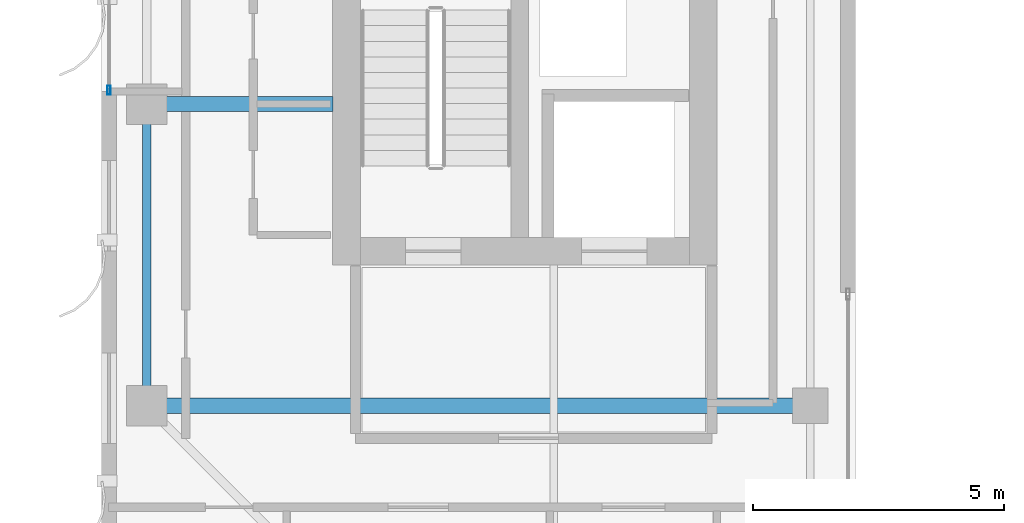
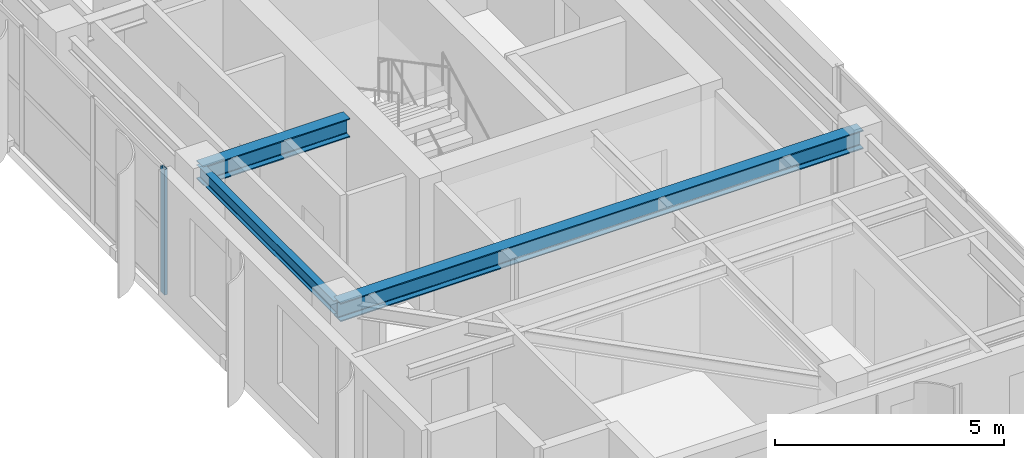
# One storey, part 3 of 24: 3 beams, 1 member, 1 element without a shape of its own.
"""IFC4 building model written with IfcOpenShell, lengths in metres."""

from ifc_helpers import new_model, si_unit, direction, frame, origin, origin_2d, place, context, subcontext, project, spatial, hollow_rectangle, i_section, extrude, source, transform, mapped, material, layer, layer_set, material_profile, profile_set, type_object, element, aggregate, save


model = new_model("IFC4")

# Units and contexts
model_context = context("Model", 3, precision=1e-05, world=origin(), true_north=direction((0.0, 1.0)))
body_context = subcontext(model_context, "Body", "Model", "MODEL_VIEW")
ifc_project = project(units=[si_unit("LENGTHUNIT", "METRE"), si_unit("AREAUNIT", "SQUARE_METRE"), si_unit("VOLUMEUNIT", "CUBIC_METRE"), si_unit("PLANEANGLEUNIT", "RADIAN"), si_unit("MASSUNIT", "GRAM", prefix="KILO")], contexts=[model_context])

# Site, building, storey
site_placement = place(None, origin())
site = spatial("IfcSite", under=ifc_project, at=site_placement, CompositionType="ELEMENT")
building_placement = place(site_placement, origin())
building = spatial("IfcBuilding", under=site, at=building_placement, Name="Khoralis Quay Care Tower", CompositionType="ELEMENT")
storey_placement = place(building_placement, frame((0.0, 0.0, 238.5)))
storey = spatial("IfcBuildingStorey", under=building, at=storey_placement, Name="L62", CompositionType="ELEMENT", Elevation=238.5)

# Beams
ifc_material_1 = material(Name="Steel S355", Category="steel")
ifc_material_profile_1 = material_profile(ifc_material_1, i_section(OverallWidth=0.169921875, OverallDepth=0.360107421875, WebThickness=0.008056640625, FlangeThickness=0.0126953125, FilletRadius=0.01806640625, at=origin_2d()), Name="Steel S355")
ifc_profile_set_1 = profile_set([ifc_material_profile_1], Name="Steel S355")
beam_type_1 = type_object("IfcBeamType", Name="BM-IPE360", PredefinedType="SPANDREL", material=ifc_profile_set_1)
shared_shape_1 = source(origin(), body_context, "Body", "SweptSolid", [
    extrude(i_section(OverallWidth=0.169921875, OverallDepth=0.360107421875, WebThickness=0.008056640625, FlangeThickness=0.0126953125, FilletRadius=0.01806640625, at=origin_2d()), origin(), (0.0, 0.0, 1.0), 6.0),
])
beam_1_placement = place(storey_placement, frame((3.89990234375, 12.0, 3.179931640625), z_axis=(0.0, 1.0, 0.0), x_axis=(-1.0, 0.0, 0.0)))
element("IfcBeam", 1, at=beam_1_placement, inside=storey, type_object=beam_type_1, Name="BM-TSP-L62-05", PredefinedType="SPANDREL", context=body_context, shape_type="MappedRepresentation", body=[
    mapped(shared_shape_1, transform((0.0, 0.0, 0.0), scale=1.0)),
])
ifc_material_profile_2 = material_profile(ifc_material_1, i_section(OverallWidth=0.300048828125, OverallDepth=0.5, WebThickness=0.014404296875, FlangeThickness=0.028076171875, FilletRadius=0.027099609375, at=origin_2d()), Name="Steel S355")
ifc_profile_set_2 = profile_set([ifc_material_profile_2], Name="Steel S355")
beam_type_2 = type_object("IfcBeamType", Name="BM-HEB500", PredefinedType="BEAM", material=ifc_profile_set_2)
shared_shape_2 = source(origin(), body_context, "Body", "SweptSolid", [
    extrude(i_section(OverallWidth=0.300048828125, OverallDepth=0.5, WebThickness=0.014404296875, FlangeThickness=0.028076171875, FilletRadius=0.027099609375, at=origin_2d()), origin(), (0.0, 0.0, 1.0), 13.2001953125),
])
beam_2_placement = place(storey_placement, frame((3.89990234375, 12.0, 3.110107421875), z_axis=(1.0, 0.0, 0.0), x_axis=(0.0, 1.0, 0.0)))
element("IfcBeam", 2, at=beam_2_placement, inside=storey, type_object=beam_type_2, Name="BM-TGXW-L62-120", PredefinedType="BEAM", context=body_context, shape_type="MappedRepresentation", body=[
    mapped(shared_shape_2, transform((0.0, 0.0, 0.0), scale=1.0)),
])
shared_shape_3 = source(origin(), body_context, "Body", "SweptSolid", [
    extrude(i_section(OverallWidth=0.300048828125, OverallDepth=0.5, WebThickness=0.014404296875, FlangeThickness=0.028076171875, FilletRadius=0.027099609375, at=origin_2d()), origin(), (0.0, 0.0, 1.0), 3.7021484375),
])
beam_3_placement = place(storey_placement, frame((3.89990234375, 18.0, 3.110107421875), z_axis=(1.0, 0.0, 0.0), x_axis=(0.0, 1.0, 0.0)))
element("IfcBeam", 3, at=beam_3_placement, inside=storey, type_object=beam_type_2, Name="BM-TGXW-L62-180", PredefinedType="BEAM", context=body_context, shape_type="MappedRepresentation", body=[
    mapped(shared_shape_3, transform((0.0, 0.0, 0.0), scale=1.0)),
])

# Curtain wall, member
ifc_material_2 = material(Name="Pale anodised aluminium", Category="aluminium")
ifc_layer = layer(ifc_material_2, 0.159912109375)
ifc_layer_set = layer_set([ifc_layer], Name="Pale anodised aluminium")
curtain_wall_type = type_object("IfcCurtainWallType", Name="CW-SYS-Z3", PredefinedType="NOTDEFINED", material=ifc_layer_set)
curtain_wall_placement = place(storey_placement, origin())
curtain_wall = element("IfcCurtainWall", 4, at=curtain_wall_placement, inside=storey, type_object=curtain_wall_type, Name="L62 Unitised Curtain Wall CW-L62-P1-E7", PredefinedType="NOTDEFINED")
ifc_material_profile_3 = material_profile(ifc_material_2, hollow_rectangle(XDim=0.06494140625, YDim=0.179931640625, WallThickness=0.00390625, at=origin_2d()), Name="Pale anodised aluminium")
ifc_profile_set_3 = profile_set([ifc_material_profile_3], Name="Pale anodised aluminium")
member_type = type_object("IfcMemberType", Name="CW-MUL-180", PredefinedType="MULLION", material=ifc_profile_set_3)
shared_shape_4 = source(origin(), body_context, "Body", "SweptSolid", [
    extrude(hollow_rectangle(XDim=0.06494140625, YDim=0.179931640625, WallThickness=0.00390625, at=origin_2d()), origin(), (0.0, 0.0, 1.0), 3.360107421875),
])
member_placement = place(storey_placement, frame((3.14990234375, 18.280029296875, 0.0), z_axis=(0.0, 0.0, 1.0), x_axis=(1.0, 0.0, 0.0)))
member = element("IfcMember", 5, at=member_placement, type_object=member_type, Name="CW3 mullion 4", PredefinedType="MULLION", context=body_context, shape_type="MappedRepresentation", body=[
    mapped(shared_shape_4, transform((0.0, 0.0, 0.0), scale=1.0)),
])
aggregate(curtain_wall, [member])

save(model, "model.ifc")
